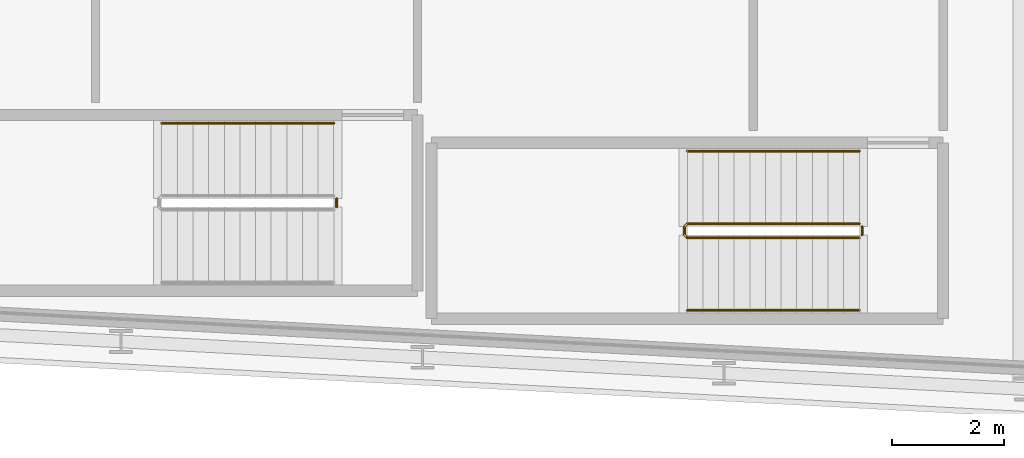
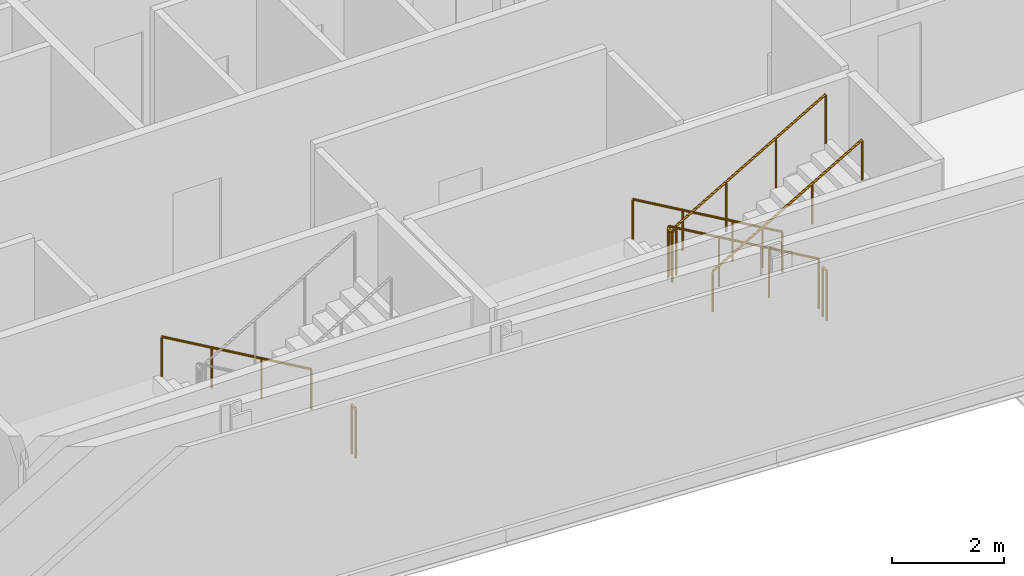
# One storey, part 26 of 29: 6 railings.
"""IFC4 building model written with IfcOpenShell, lengths in metres."""

from ifc_helpers import new_model, si_unit, direction, frame, origin, origin_2d, place, context, subcontext, project, spatial, circle, extrude, material, type_object, element, save


model = new_model("IFC4")

# Units and contexts
model_context = context("Model", 3, precision=1e-05, world=origin(), true_north=direction((0.0, 1.0)))
body_context = subcontext(model_context, "Body", "Model", "MODEL_VIEW")
ifc_project = project(units=[si_unit("LENGTHUNIT", "METRE"), si_unit("AREAUNIT", "SQUARE_METRE"), si_unit("VOLUMEUNIT", "CUBIC_METRE"), si_unit("PLANEANGLEUNIT", "RADIAN"), si_unit("MASSUNIT", "GRAM", prefix="KILO")], contexts=[model_context])

# Site, building, storey
site_placement = place(None, origin())
site = spatial("IfcSite", under=ifc_project, at=site_placement, CompositionType="ELEMENT")
building_placement = place(site_placement, origin())
building = spatial("IfcBuilding", under=site, at=building_placement, Name="Kheshtan School and Residences Tower", CompositionType="ELEMENT")
storey_placement = place(building_placement, frame((0.0, 0.0, 179.89990234375)))
storey = spatial("IfcBuildingStorey", under=building, at=storey_placement, Name="L42", CompositionType="ELEMENT", Elevation=179.89990234375)

# Railings
ifc_material_1 = material(Name="Stainless steel balustrade", Category="steel")
railing_type_1 = type_object("IfcRailingType", Name="Stair guard 1100", PredefinedType="GUARDRAIL", material=ifc_material_1)
railing_1_placement = place(storey_placement, frame((87.820068359375, 23.949951171875, 0.16259765625)))
element("IfcRailing", 1, at=railing_1_placement, inside=storey, type_object=railing_type_1, Name="L42 ST4 stair guard 1", PredefinedType="GUARDRAIL", context=body_context, shape_type="SweptSolid", body=[
    extrude(circle(Radius=0.02392578125, at=origin_2d()), frame((0.0, 0.0, 1.076171875), z_axis=(-0.864890721111, 0.0, 0.501960198159), x_axis=(0.0, -1.0, 0.0)), (0.0, 0.0, 1.0), 3.561279296875),
    extrude(circle(Radius=0.02392578125, at=origin_2d()), frame((-3.080078125, 0.0, 2.86376953125), z_axis=(-0.707106781187, -0.707106781187, 0.0), x_axis=(0.707106781187, -0.707106781187, 0.0)), (0.0, 0.0, 1.0), 0.07080078125),
    extrude(circle(Radius=0.02392578125, at=origin_2d()), frame((-3.130126953125, -0.050048828125, 2.86376953125), z_axis=(0.0, -1.0, 0.0), x_axis=(1.0, 0.0, 0.0)), (0.0, 0.0, 1.0), 0.14990234375),
    extrude(circle(Radius=0.02392578125, at=origin_2d()), frame((-3.130126953125, -0.199951171875, 2.86376953125), z_axis=(0.282583949758, -0.282583949758, 0.916674763849), x_axis=(0.707106781187, 0.707106781187, 0.0)), (0.0, 0.0, 1.0), 0.177001953125),
    extrude(circle(Radius=0.02392578125, at=origin_2d()), frame((-3.080078125, -0.25, 3.02587890625), z_axis=(0.864890721111, 0.0, 0.501960198159), x_axis=(0.0, 1.0, 0.0)), (0.0, 0.0, 1.0), 3.561279296875),
    extrude(circle(Radius=0.02099609375, at=origin_2d()), origin(), (0.0, 0.0, 1.0), 1.052001953125),
    extrude(circle(Radius=0.02099609375, at=origin_2d()), frame((-1.026611328125, 0.0, 0.595947265625)), (0.0, 0.0, 1.0), 1.052001953125),
    extrude(circle(Radius=0.02099609375, at=origin_2d()), frame((-2.053466796875, 0.0, 1.191650390625)), (0.0, 0.0, 1.0), 1.052001953125),
    extrude(circle(Radius=0.02099609375, at=origin_2d()), frame((-3.080078125, 0.0, 1.78759765625)), (0.0, 0.0, 1.0), 1.052001953125),
    extrude(circle(Radius=0.02099609375, at=origin_2d()), frame((-3.130126953125, -0.050048828125, 1.78759765625)), (0.0, 0.0, 1.0), 1.052001953125),
    extrude(circle(Radius=0.02099609375, at=origin_2d()), frame((-3.130126953125, -0.199951171875, 1.78759765625)), (0.0, 0.0, 1.0), 1.052001953125),
    extrude(circle(Radius=0.02099609375, at=origin_2d()), frame((-3.080078125, -0.25, 1.949951171875)), (0.0, 0.0, 1.0), 1.052001953125),
    extrude(circle(Radius=0.02099609375, at=origin_2d()), frame((-2.053466796875, -0.25, 2.5458984375)), (0.0, 0.0, 1.0), 1.052001953125),
    extrude(circle(Radius=0.02099609375, at=origin_2d()), frame((-1.026611328125, -0.25, 3.1416015625)), (0.0, 0.0, 1.0), 1.052001953125),
    extrude(circle(Radius=0.02099609375, at=origin_2d()), frame((0.0, -0.25, 3.737548828125)), (0.0, 0.0, 1.0), 1.052001953125),
])
for number, where, name in (
    (2, (87.8701171875, 23.89990234375, 0.0), "L42 ST4 stair guard 2"),
    (3, (78.4599609375, 24.39990234375, 0.0), "L42 ST5 stair guard 2"),
):
    element("IfcRailing", number, at=place(storey_placement, frame(where)), inside=storey, type_object=railing_type_1, Name=name, PredefinedType="GUARDRAIL", context=body_context, shape_type="SweptSolid", body=[
        extrude(circle(Radius=0.02392578125, at=origin_2d()), frame((0.0, 0.0, 1.076171875), z_axis=(0.0, -1.0, 0.0), x_axis=(1.0, 0.0, 0.0)), (0.0, 0.0, 1.0), 0.14990234375),
        extrude(circle(Radius=0.02099609375, at=origin_2d()), origin(), (0.0, 0.0, 1.0), 1.052001953125),
        extrude(circle(Radius=0.02099609375, at=origin_2d()), frame((0.0, -0.14990234375, 0.0)), (0.0, 0.0, 1.0), 1.052001953125),
    ])
ifc_material_2 = material(Name="Stainless steel handrail", Category="steel")
railing_type_2 = type_object("IfcRailingType", Name="Stair handrail 900", PredefinedType="HANDRAIL", material=ifc_material_2)
railing_2_placement = place(storey_placement, frame((87.820068359375, 25.25, 0.16259765625)))
element("IfcRailing", 4, at=railing_2_placement, inside=storey, type_object=railing_type_2, Name="L42 ST4 stair handrail 1", PredefinedType="HANDRAIL", context=body_context, shape_type="SweptSolid", body=[
    extrude(circle(Radius=0.02392578125, at=origin_2d()), frame((0.0, 0.0, 0.8759765625), z_axis=(-0.864890721111, 0.0, 0.501960198159), x_axis=(0.0, -1.0, 0.0)), (0.0, 0.0, 1.0), 3.561279296875),
    extrude(circle(Radius=0.02099609375, at=origin_2d()), origin(), (0.0, 0.0, 1.0), 0.851806640625),
    extrude(circle(Radius=0.02099609375, at=origin_2d()), frame((-1.026611328125, 0.0, 0.595947265625)), (0.0, 0.0, 1.0), 0.851806640625),
    extrude(circle(Radius=0.02099609375, at=origin_2d()), frame((-2.053466796875, 0.0, 1.191650390625)), (0.0, 0.0, 1.0), 0.851806640625),
    extrude(circle(Radius=0.02099609375, at=origin_2d()), frame((-3.080078125, 0.0, 1.78759765625)), (0.0, 0.0, 1.0), 0.851806640625),
])
railing_3_placement = place(storey_placement, frame((84.739990234375, 22.39990234375, 2.112548828125)))
element("IfcRailing", 5, at=railing_3_placement, inside=storey, type_object=railing_type_2, Name="L42 ST4 stair handrail 2", PredefinedType="HANDRAIL", context=body_context, shape_type="SweptSolid", body=[
    extrude(circle(Radius=0.02392578125, at=origin_2d()), frame((0.0, 0.0, 0.8759765625), z_axis=(0.864890721111, 0.0, 0.501960198159), x_axis=(0.0, 1.0, 0.0)), (0.0, 0.0, 1.0), 3.561279296875),
    extrude(circle(Radius=0.02099609375, at=origin_2d()), origin(), (0.0, 0.0, 1.0), 0.851806640625),
    extrude(circle(Radius=0.02099609375, at=origin_2d()), frame((1.026611328125, 0.0, 0.595947265625)), (0.0, 0.0, 1.0), 0.851806640625),
    extrude(circle(Radius=0.02099609375, at=origin_2d()), frame((2.053466796875, 0.0, 1.191650390625)), (0.0, 0.0, 1.0), 0.851806640625),
    extrude(circle(Radius=0.02099609375, at=origin_2d()), frame((3.080078125, 0.0, 1.78759765625)), (0.0, 0.0, 1.0), 0.851806640625),
])
railing_4_placement = place(storey_placement, frame((78.409912109375, 25.75, 0.16259765625)))
element("IfcRailing", 6, at=railing_4_placement, inside=storey, type_object=railing_type_2, Name="L42 ST5 stair handrail 1", PredefinedType="HANDRAIL", context=body_context, shape_type="SweptSolid", body=[
    extrude(circle(Radius=0.02392578125, at=origin_2d()), frame((0.0, 0.0, 0.8759765625), z_axis=(-0.864873446163, 0.0, 0.501989962173), x_axis=(0.0, -1.0, 0.0)), (0.0, 0.0, 1.0), 3.56103515625),
    extrude(circle(Radius=0.02099609375, at=origin_2d()), origin(), (0.0, 0.0, 1.0), 0.851806640625),
    extrude(circle(Radius=0.02099609375, at=origin_2d()), frame((-1.026611328125, 0.0, 0.595947265625)), (0.0, 0.0, 1.0), 0.851806640625),
    extrude(circle(Radius=0.02099609375, at=origin_2d()), frame((-2.05322265625, 0.0, 1.191650390625)), (0.0, 0.0, 1.0), 0.851806640625),
    extrude(circle(Radius=0.02099609375, at=origin_2d()), frame((-3.079833984375, 0.0, 1.78759765625)), (0.0, 0.0, 1.0), 0.851806640625),
])

save(model, "model.ifc")
